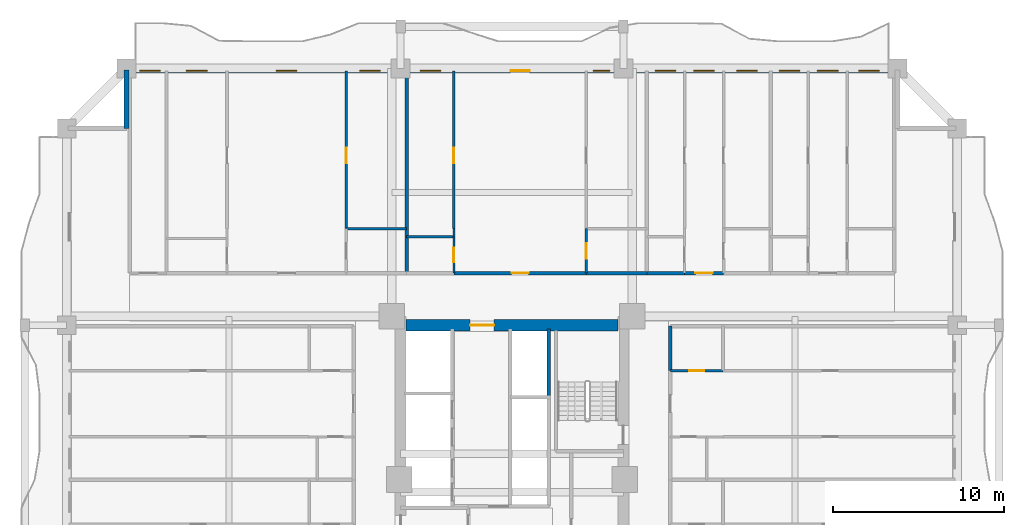
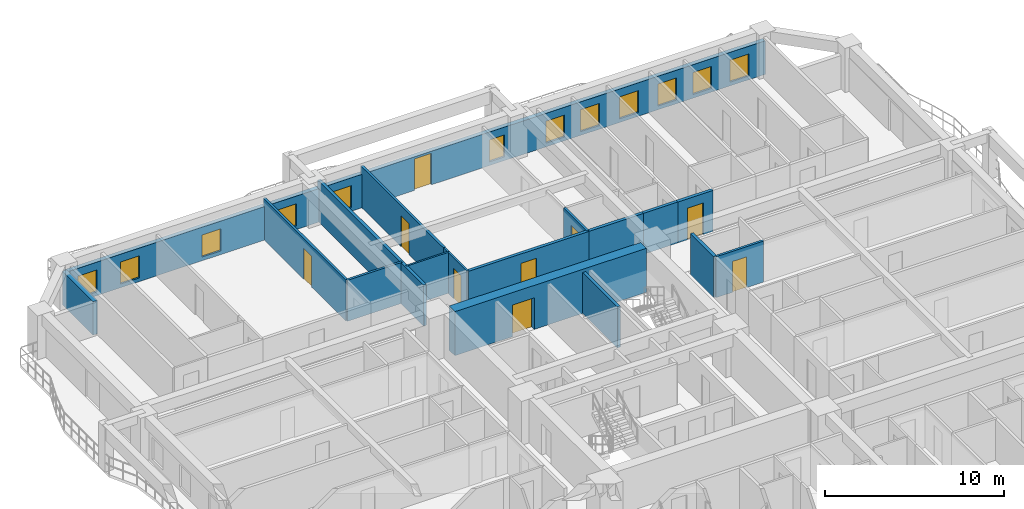
# One storey, part 8 of 17: 18 walls, 12 windows, 9 doors, 21 openings.
"""IFC4 building model written with IfcOpenShell, lengths in metres."""

from ifc_helpers import new_model, si_unit, direction, frame, frame_2d, origin, place, context, subcontext, project, spatial, rectangle, extrude, source, transform, mapped, material, layer, layer_set, type_object, element, fill, save


model = new_model("IFC4")

# Units and contexts
model_context = context("Model", 3, precision=1e-05, world=origin(), true_north=direction((0.0, 1.0)))
body_context = subcontext(model_context, "Body", "Model", "MODEL_VIEW")
ifc_project = project(units=[si_unit("LENGTHUNIT", "METRE"), si_unit("AREAUNIT", "SQUARE_METRE"), si_unit("VOLUMEUNIT", "CUBIC_METRE"), si_unit("PLANEANGLEUNIT", "RADIAN"), si_unit("MASSUNIT", "GRAM", prefix="KILO")], contexts=[model_context])

# Site, building, storey
site_placement = place(None, origin())
site = spatial("IfcSite", under=ifc_project, at=site_placement, CompositionType="ELEMENT")
building_placement = place(site_placement, origin())
building = spatial("IfcBuilding", under=site, at=building_placement, Name="Saelheon Loggia Tower", CompositionType="ELEMENT")
storey_placement = place(building_placement, frame((0.0, 0.0, 22.39990234375)))
storey = spatial("IfcBuildingStorey", under=building, at=storey_placement, Name="L06", CompositionType="ELEMENT", Elevation=22.39990234375)

# Wall, opening, door
ifc_material_1 = material(Name="Concrete C60/75", Category="concrete")
ifc_layer_1 = layer(ifc_material_1, 0.64990234375)
ifc_layer_set_1 = layer_set([ifc_layer_1], Name="Concrete C60/75")
wall_type_1 = type_object("IfcWallType", Name="Wall_CoreShear_650", PredefinedType="SHEAR", material=ifc_layer_set_1)
wall_1_placement = place(storey_placement, frame((31.824951171875, 36.0, 0.0), z_axis=(0.0, 0.0, 1.0), x_axis=(1.0, 0.0, 0.0)))
wall_1 = element("IfcWall", 1, at=wall_1_placement, inside=storey, type_object=wall_type_1, Name="L06 Core Shear Wall North", PredefinedType="SHEAR", context=body_context, shape_type="SweptSolid", body=[
    extrude(rectangle(XDim=12.35009765625, YDim=0.64990234375, at=frame_2d((6.175048828125, 0.0))), origin(), (0.0, 0.0, 1.0), 3.0),
])
opening_1_placement = place(wall_1_placement, frame((5.125, 0.0, 0.0), z_axis=(0.0, 0.0, 1.0), x_axis=(-1.0, 0.0, 0.0)))
opening_1 = element("IfcOpeningElement", 2, at=opening_1_placement, cuts=wall_1, Name="Opening D-FD2L", PredefinedType="OPENING", context=body_context, shape_type="SweptSolid", body=[
    extrude(rectangle(XDim=1.39990234375, YDim=2.14990234375, at=frame_2d((0.699951171875, 1.074951171875))), frame((0.0, 0.3369140625, 0.0), z_axis=(0.0, -1.0, 0.0), x_axis=(1.0, 0.0, 0.0)), (0.0, 0.0, 1.0), 0.673828125),
])
ifc_material_2 = material(Name="Galvanised Steel Glazed Lobby Fire Door", Category="steel")
door_type_1 = type_object("IfcDoorType", Name="Door_Fire_FD60_1400", OperationType="NOTDEFINED", PredefinedType="DOOR", material=ifc_material_2)
shared_shape_1 = source(origin(), body_context, "Body", "SweptSolid", [
    extrude(rectangle(XDim=1.39990234375, YDim=2.14990234375, at=frame_2d((0.699951171875, 1.074951171875))), frame((0.0, 0.02490234375, 0.0), z_axis=(0.0, -1.0, 0.0), x_axis=(1.0, 0.0, 0.0)), (0.0, 0.0, 1.0), 0.050048828125),
])
door_1_placement = place(opening_1_placement, origin())
door_1 = element("IfcDoor", 3, at=door_1_placement, inside=storey, type_object=door_type_1, Name="L06 Passenger Lift Lobby Main Door", OperationType="SINGLE_SWING_RIGHT", OverallHeight=2.14990234375, OverallWidth=1.39990234375, PredefinedType="DOOR", context=body_context, shape_type="MappedRepresentation", body=[
    mapped(shared_shape_1, transform((0.0, 0.0, 0.0), scale=1.0)),
])
fill(opening_1, door_1)

# Wall, openings, windows, door
ifc_material_3 = material(Name="Architectural Precast Concrete C40/50", Category="concrete")
ifc_layer_2 = layer(ifc_material_3, 0.280029296875)
ifc_layer_set_2 = layer_set([ifc_layer_2], Name="Architectural Precast Concrete C40/50")
wall_type_2 = type_object("IfcWallType", Name="Wall_Ext_Loggia_280", PredefinedType="SOLIDWALL", material=ifc_layer_set_2)
wall_2_placement = place(storey_placement, frame((15.5, 50.860107421875, 0.0), z_axis=(0.0, 0.0, 1.0), x_axis=(1.0, 0.0, 0.0)))
wall_2 = element("IfcWall", 4, at=wall_2_placement, inside=storey, type_object=wall_type_2, Name="L06 North Loggia Inner Wall", PredefinedType="SOLIDWALL", context=body_context, shape_type="SweptSolid", body=[
    extrude(rectangle(XDim=45.0, YDim=0.280029296875, at=frame_2d((22.5, 0.0))), origin(), (0.0, 0.0, 1.0), 2.280029296875),
])
opening_2_placement = place(wall_2_placement, frame((0.760009765625, 0.0, 0.25)))
opening_2 = element("IfcOpeningElement", 5, at=opening_2_placement, cuts=wall_2, Name="Opening WN-03", PredefinedType="OPENING", context=body_context, shape_type="SweptSolid", body=[
    extrude(rectangle(XDim=1.199951171875, YDim=1.5, at=frame_2d((0.60009765625, 0.75))), frame((0.0, 0.152099609375, 0.0), z_axis=(0.0, -1.0, 0.0), x_axis=(1.0, 0.0, 0.0)), (0.0, 0.0, 1.0), 0.303955078125),
])
opening_3_placement = place(wall_2_placement, frame((3.494384765625, 0.0, 0.25)))
opening_3 = element("IfcOpeningElement", 6, at=opening_3_placement, cuts=wall_2, Name="Opening WN-03", PredefinedType="OPENING", context=body_context, shape_type="SweptSolid", body=[
    extrude(rectangle(XDim=1.199951171875, YDim=1.5, at=frame_2d((0.60009765625, 0.75))), frame((0.0, 0.152099609375, 0.0), z_axis=(0.0, -1.0, 0.0), x_axis=(1.0, 0.0, 0.0)), (0.0, 0.0, 1.0), 0.303955078125),
])
opening_4_placement = place(wall_2_placement, frame((8.740966796875, 0.0, 0.25)))
opening_4 = element("IfcOpeningElement", 7, at=opening_4_placement, cuts=wall_2, Name="Opening WN-03", PredefinedType="OPENING", context=body_context, shape_type="SweptSolid", body=[
    extrude(rectangle(XDim=1.199951171875, YDim=1.5, at=frame_2d((0.60009765625, 0.75))), frame((0.0, 0.152099609375, 0.0), z_axis=(0.0, -1.0, 0.0), x_axis=(1.0, 0.0, 0.0)), (0.0, 0.0, 1.0), 0.303955078125),
])
opening_5_placement = place(wall_2_placement, frame((13.616455078125, 0.0, 0.25)))
opening_5 = element("IfcOpeningElement", 8, at=opening_5_placement, cuts=wall_2, Name="Opening WN-03", PredefinedType="OPENING", context=body_context, shape_type="SweptSolid", body=[
    extrude(rectangle(XDim=1.199951171875, YDim=1.5, at=frame_2d((0.60009765625, 0.75))), frame((0.0, 0.152099609375, 0.0), z_axis=(0.0, -1.0, 0.0), x_axis=(1.0, 0.0, 0.0)), (0.0, 0.0, 1.0), 0.303955078125),
])
opening_6_placement = place(wall_2_placement, frame((17.145751953125, 0.0, 0.25)))
opening_6 = element("IfcOpeningElement", 9, at=opening_6_placement, cuts=wall_2, Name="Opening WN-03", PredefinedType="OPENING", context=body_context, shape_type="SweptSolid", body=[
    extrude(rectangle(XDim=1.199951171875, YDim=1.5, at=frame_2d((0.60009765625, 0.75))), frame((0.0, 0.152099609375, 0.0), z_axis=(0.0, -1.0, 0.0), x_axis=(1.0, 0.0, 0.0)), (0.0, 0.0, 1.0), 0.303955078125),
])
opening_7_placement = place(wall_2_placement, frame((22.423095703125, 0.0, 0.0)))
opening_7 = element("IfcOpeningElement", 10, at=opening_7_placement, cuts=wall_2, Name="Opening TD1", PredefinedType="OPENING", context=body_context, shape_type="SweptSolid", body=[
    extrude(rectangle(XDim=1.10009765625, YDim=2.14990234375, at=frame_2d((0.550048828125, 1.074951171875))), frame((0.0, 0.152099609375, 0.0), z_axis=(0.0, -1.0, 0.0), x_axis=(1.0, 0.0, 0.0)), (0.0, 0.0, 1.0), 0.303955078125),
])
opening_8_placement = place(wall_2_placement, frame((27.252197265625, 0.0, 0.25)))
opening_8 = element("IfcOpeningElement", 11, at=opening_8_placement, cuts=wall_2, Name="Opening WN-04", PredefinedType="OPENING", context=body_context, shape_type="SweptSolid", body=[
    extrude(rectangle(XDim=0.949951171875, YDim=1.5, at=frame_2d((0.47509765625, 0.75))), frame((0.0, 0.152099609375, 0.0), z_axis=(0.0, -1.0, 0.0), x_axis=(1.0, 0.0, 0.0)), (0.0, 0.0, 1.0), 0.303955078125),
])
opening_9_placement = place(wall_2_placement, frame((30.873291015625, 0.0, 0.25)))
opening_9 = element("IfcOpeningElement", 12, at=opening_9_placement, cuts=wall_2, Name="Opening WN-03", PredefinedType="OPENING", context=body_context, shape_type="SweptSolid", body=[
    extrude(rectangle(XDim=1.199951171875, YDim=1.5, at=frame_2d((0.60009765625, 0.75))), frame((0.0, 0.152099609375, 0.0), z_axis=(0.0, -1.0, 0.0), x_axis=(1.0, 0.0, 0.0)), (0.0, 0.0, 1.0), 0.303955078125),
])
opening_10_placement = place(wall_2_placement, frame((33.112548828125, 0.0, 0.25)))
opening_10 = element("IfcOpeningElement", 13, at=opening_10_placement, cuts=wall_2, Name="Opening WN-03", PredefinedType="OPENING", context=body_context, shape_type="SweptSolid", body=[
    extrude(rectangle(XDim=1.199951171875, YDim=1.5, at=frame_2d((0.60009765625, 0.75))), frame((0.0, 0.152099609375, 0.0), z_axis=(0.0, -1.0, 0.0), x_axis=(1.0, 0.0, 0.0)), (0.0, 0.0, 1.0), 0.303955078125),
])
opening_11_placement = place(wall_2_placement, frame((35.624267578125, 0.0, 0.25)))
opening_11 = element("IfcOpeningElement", 14, at=opening_11_placement, cuts=wall_2, Name="Opening WN-03", PredefinedType="OPENING", context=body_context, shape_type="SweptSolid", body=[
    extrude(rectangle(XDim=1.199951171875, YDim=1.5, at=frame_2d((0.60009765625, 0.75))), frame((0.0, 0.152099609375, 0.0), z_axis=(0.0, -1.0, 0.0), x_axis=(1.0, 0.0, 0.0)), (0.0, 0.0, 1.0), 0.303955078125),
])
opening_12_placement = place(wall_2_placement, frame((38.0966796875, 0.0, 0.25)))
opening_12 = element("IfcOpeningElement", 15, at=opening_12_placement, cuts=wall_2, Name="Opening WN-03", PredefinedType="OPENING", context=body_context, shape_type="SweptSolid", body=[
    extrude(rectangle(XDim=1.199951171875, YDim=1.5, at=frame_2d((0.60009765625, 0.75))), frame((0.0, 0.152099609375, 0.0), z_axis=(0.0, -1.0, 0.0), x_axis=(1.0, 0.0, 0.0)), (0.0, 0.0, 1.0), 0.303955078125),
])
opening_13_placement = place(wall_2_placement, frame((40.3359375, 0.0, 0.25)))
opening_13 = element("IfcOpeningElement", 16, at=opening_13_placement, cuts=wall_2, Name="Opening WN-03", PredefinedType="OPENING", context=body_context, shape_type="SweptSolid", body=[
    extrude(rectangle(XDim=1.199951171875, YDim=1.5, at=frame_2d((0.60009765625, 0.75))), frame((0.0, 0.152099609375, 0.0), z_axis=(0.0, -1.0, 0.0), x_axis=(1.0, 0.0, 0.0)), (0.0, 0.0, 1.0), 0.303955078125),
])
opening_14_placement = place(wall_2_placement, frame((42.74267578125, 0.0, 0.25)))
opening_14 = element("IfcOpeningElement", 17, at=opening_14_placement, cuts=wall_2, Name="Opening WN-03", PredefinedType="OPENING", context=body_context, shape_type="SweptSolid", body=[
    extrude(rectangle(XDim=1.199951171875, YDim=1.5, at=frame_2d((0.60009765625, 0.75))), frame((0.0, 0.152099609375, 0.0), z_axis=(0.0, -1.0, 0.0), x_axis=(1.0, 0.0, 0.0)), (0.0, 0.0, 1.0), 0.303955078125),
])
ifc_material_4 = material(Name="Thermal-Break Aluminium and Triple Low-E Glass", Category="aluminium")
window_type_1 = type_object("IfcWindowType", Name="Win_Bedroom_1200x1500", PartitioningType="SINGLE_PANEL", PredefinedType="WINDOW", material=ifc_material_4)
shared_shape_2 = source(origin(), body_context, "Body", "SweptSolid", [
    extrude(rectangle(XDim=1.199951171875, YDim=1.5, at=frame_2d((0.60009765625, 0.75))), frame((0.0, 0.030029296875, 0.0), z_axis=(0.0, -1.0, 0.0), x_axis=(1.0, 0.0, 0.0)), (0.0, 0.0, 1.0), 0.06005859375),
])
window_1_placement = place(opening_2_placement, origin())
window_1 = element("IfcWindow", 18, at=window_1_placement, inside=storey, type_object=window_type_1, Name="L06 N Dwelling Window 1", OverallHeight=1.5, OverallWidth=1.199951171875, PartitioningType="SINGLE_PANEL", PredefinedType="WINDOW", context=body_context, shape_type="MappedRepresentation", body=[
    mapped(shared_shape_2, transform((0.0, 0.0, 0.0), scale=1.0)),
])
fill(opening_2, window_1)
window_2_placement = place(opening_3_placement, origin())
window_2 = element("IfcWindow", 19, at=window_2_placement, inside=storey, type_object=window_type_1, Name="L06 N Dwelling Window 2", OverallHeight=1.5, OverallWidth=1.199951171875, PartitioningType="SINGLE_PANEL", PredefinedType="WINDOW", context=body_context, shape_type="MappedRepresentation", body=[
    mapped(shared_shape_2, transform((0.0, 0.0, 0.0), scale=1.0)),
])
fill(opening_3, window_2)
window_3_placement = place(opening_4_placement, origin())
window_3 = element("IfcWindow", 20, at=window_3_placement, inside=storey, type_object=window_type_1, Name="L06 N Dwelling Window 3", OverallHeight=1.5, OverallWidth=1.199951171875, PartitioningType="SINGLE_PANEL", PredefinedType="WINDOW", context=body_context, shape_type="MappedRepresentation", body=[
    mapped(shared_shape_2, transform((0.0, 0.0, 0.0), scale=1.0)),
])
fill(opening_4, window_3)
window_4_placement = place(opening_5_placement, origin())
window_4 = element("IfcWindow", 21, at=window_4_placement, inside=storey, type_object=window_type_1, Name="L06 N Dwelling Window 4", OverallHeight=1.5, OverallWidth=1.199951171875, PartitioningType="SINGLE_PANEL", PredefinedType="WINDOW", context=body_context, shape_type="MappedRepresentation", body=[
    mapped(shared_shape_2, transform((0.0, 0.0, 0.0), scale=1.0)),
])
fill(opening_5, window_4)
window_5_placement = place(opening_6_placement, origin())
window_5 = element("IfcWindow", 22, at=window_5_placement, inside=storey, type_object=window_type_1, Name="L06 N Dwelling Window 5", OverallHeight=1.5, OverallWidth=1.199951171875, PartitioningType="SINGLE_PANEL", PredefinedType="WINDOW", context=body_context, shape_type="MappedRepresentation", body=[
    mapped(shared_shape_2, transform((0.0, 0.0, 0.0), scale=1.0)),
])
fill(opening_6, window_5)
window_6_placement = place(opening_9_placement, origin())
window_6 = element("IfcWindow", 23, at=window_6_placement, inside=storey, type_object=window_type_1, Name="L06 N Dwelling Window 8", OverallHeight=1.5, OverallWidth=1.199951171875, PartitioningType="SINGLE_PANEL", PredefinedType="WINDOW", context=body_context, shape_type="MappedRepresentation", body=[
    mapped(shared_shape_2, transform((0.0, 0.0, 0.0), scale=1.0)),
])
fill(opening_9, window_6)
window_7_placement = place(opening_10_placement, origin())
window_7 = element("IfcWindow", 24, at=window_7_placement, inside=storey, type_object=window_type_1, Name="L06 N Dwelling Window 9", OverallHeight=1.5, OverallWidth=1.199951171875, PartitioningType="SINGLE_PANEL", PredefinedType="WINDOW", context=body_context, shape_type="MappedRepresentation", body=[
    mapped(shared_shape_2, transform((0.0, 0.0, 0.0), scale=1.0)),
])
fill(opening_10, window_7)
window_8_placement = place(opening_11_placement, origin())
window_8 = element("IfcWindow", 25, at=window_8_placement, inside=storey, type_object=window_type_1, Name="L06 N Dwelling Window 10", OverallHeight=1.5, OverallWidth=1.199951171875, PartitioningType="SINGLE_PANEL", PredefinedType="WINDOW", context=body_context, shape_type="MappedRepresentation", body=[
    mapped(shared_shape_2, transform((0.0, 0.0, 0.0), scale=1.0)),
])
fill(opening_11, window_8)
window_9_placement = place(opening_12_placement, origin())
window_9 = element("IfcWindow", 26, at=window_9_placement, inside=storey, type_object=window_type_1, Name="L06 N Dwelling Window 11", OverallHeight=1.5, OverallWidth=1.199951171875, PartitioningType="SINGLE_PANEL", PredefinedType="WINDOW", context=body_context, shape_type="MappedRepresentation", body=[
    mapped(shared_shape_2, transform((0.0, 0.0, 0.0), scale=1.0)),
])
fill(opening_12, window_9)
window_10_placement = place(opening_13_placement, origin())
window_10 = element("IfcWindow", 27, at=window_10_placement, inside=storey, type_object=window_type_1, Name="L06 N Dwelling Window 12", OverallHeight=1.5, OverallWidth=1.199951171875, PartitioningType="SINGLE_PANEL", PredefinedType="WINDOW", context=body_context, shape_type="MappedRepresentation", body=[
    mapped(shared_shape_2, transform((0.0, 0.0, 0.0), scale=1.0)),
])
fill(opening_13, window_10)
window_11_placement = place(opening_14_placement, origin())
window_11 = element("IfcWindow", 28, at=window_11_placement, inside=storey, type_object=window_type_1, Name="L06 N Dwelling Window 13", OverallHeight=1.5, OverallWidth=1.199951171875, PartitioningType="SINGLE_PANEL", PredefinedType="WINDOW", context=body_context, shape_type="MappedRepresentation", body=[
    mapped(shared_shape_2, transform((0.0, 0.0, 0.0), scale=1.0)),
])
fill(opening_14, window_11)
ifc_material_5 = material(Name="Thermal-Break Aluminium Glazed Door", Category="aluminium")
door_type_2 = type_object("IfcDoorType", Name="Door_Terrace_TD1", OperationType="NOTDEFINED", PredefinedType="DOOR", material=ifc_material_5)
shared_shape_3 = source(origin(), body_context, "Body", "SweptSolid", [
    extrude(rectangle(XDim=1.10009765625, YDim=2.14990234375, at=frame_2d((0.550048828125, 1.074951171875))), frame((0.0, 0.02490234375, 0.0), z_axis=(0.0, -1.0, 0.0), x_axis=(1.0, 0.0, 0.0)), (0.0, 0.0, 1.0), 0.050048828125),
])
door_2_placement = place(opening_7_placement, origin())
door_2 = element("IfcDoor", 29, at=door_2_placement, inside=storey, type_object=door_type_2, Name="L06 N Loggia Access Door", OperationType="SINGLE_SWING_RIGHT", OverallHeight=2.14990234375, OverallWidth=1.10009765625, PredefinedType="DOOR", context=body_context, shape_type="MappedRepresentation", body=[
    mapped(shared_shape_3, transform((0.0, 0.0, 0.0), scale=1.0)),
])
fill(opening_7, door_2)
window_type_2 = type_object("IfcWindowType", Name="Win_Narrow_950x1500", PartitioningType="SINGLE_PANEL", PredefinedType="WINDOW", material=ifc_material_4)
shared_shape_4 = source(origin(), body_context, "Body", "SweptSolid", [
    extrude(rectangle(XDim=0.949951171875, YDim=1.5, at=frame_2d((0.47509765625, 0.75))), frame((0.0, 0.030029296875, 0.0), z_axis=(0.0, -1.0, 0.0), x_axis=(1.0, 0.0, 0.0)), (0.0, 0.0, 1.0), 0.06005859375),
])
window_12_placement = place(opening_8_placement, origin())
window_12 = element("IfcWindow", 30, at=window_12_placement, inside=storey, type_object=window_type_2, Name="L06 N Dwelling Window 7", OverallHeight=1.5, OverallWidth=0.949951171875, PartitioningType="SINGLE_PANEL", PredefinedType="WINDOW", context=body_context, shape_type="MappedRepresentation", body=[
    mapped(shared_shape_4, transform((0.0, 0.0, 0.0), scale=1.0)),
])
fill(opening_8, window_12)

# Walls
wall_3_placement = place(storey_placement, frame((15.5, 47.5, 0.0), z_axis=(0.0, 0.0, 1.0), x_axis=(0.0, 1.0, 0.0)))
element("IfcWall", 31, at=wall_3_placement, inside=storey, type_object=wall_type_2, Name="L06 Corner Notch Precast Wall NW1", PredefinedType="SOLIDWALL", context=body_context, shape_type="SweptSolid", body=[
    extrude(rectangle(XDim=3.419921875, YDim=0.280029296875, at=frame_2d((1.7099609375, 0.0))), origin(), (0.0, 0.0, 1.0), 2.280029296875),
])
ifc_material_6 = material(Name="Lightweight Autoclaved Aerated Concrete Block and Acoustic Gypsum", Category="concrete")
ifc_layer_3 = layer(ifc_material_6, 0.14990234375)
ifc_layer_set_3 = layer_set([ifc_layer_3], Name="Lightweight Autoclaved Aerated Concrete Block and Acoustic Gypsum")
wall_type_3 = type_object("IfcWallType", Name="Wall_Part_150", PredefinedType="PARTITIONING", material=ifc_layer_set_3)
wall_4_placement = place(storey_placement, frame((28.322998046875, 41.639892578125, 0.0), z_axis=(0.0, 0.0, 1.0), x_axis=(1.0, 0.0, 0.0)))
element("IfcWall", 32, at=wall_4_placement, inside=storey, type_object=wall_type_3, Name="L06 N Partition V09", PredefinedType="PARTITIONING", context=body_context, shape_type="SweptSolid", body=[
    extrude(rectangle(XDim=3.52880859375, YDim=0.14990234375, at=frame_2d((1.764404296875, 0.0))), origin(), (0.0, 0.0, 1.0), 2.7900390625),
])

# Wall, opening, door
wall_5_placement = place(storey_placement, frame((28.322998046875, 41.639892578125, 0.0), z_axis=(0.0, 0.0, 1.0), x_axis=(0.0, 1.0, 0.0)))
wall_5 = element("IfcWall", 33, at=wall_5_placement, inside=storey, type_object=wall_type_3, Name="L06 N Partition U14", PredefinedType="PARTITIONING", context=body_context, shape_type="SweptSolid", body=[
    extrude(rectangle(XDim=9.210205078125, YDim=0.14990234375, at=frame_2d((4.60498046875, 0.0))), origin(), (0.0, 0.0, 1.0), 2.7900390625),
])
opening_15_placement = place(wall_5_placement, frame((3.82861328125, 0.0, 0.0)))
opening_15 = element("IfcOpeningElement", 34, at=opening_15_placement, cuts=wall_5, Name="Opening D-IN2", PredefinedType="OPENING", context=body_context, shape_type="SweptSolid", body=[
    extrude(rectangle(XDim=0.89990234375, YDim=2.10009765625, at=frame_2d((0.449951171875, 1.050048828125))), frame((0.0, 0.0869140625, 0.0), z_axis=(0.0, -1.0, 0.0), x_axis=(1.0, 0.0, 0.0)), (0.0, 0.0, 1.0), 0.173828125),
])
ifc_material_7 = material(Name="Engineered Oak Flush Door", Category="timber")
door_type_3 = type_object("IfcDoorType", Name="Door_Int_900", OperationType="NOTDEFINED", PredefinedType="DOOR", material=ifc_material_7)
shared_shape_5 = source(origin(), body_context, "Body", "SweptSolid", [
    extrude(rectangle(XDim=0.89990234375, YDim=2.10009765625, at=frame_2d((0.449951171875, 1.050048828125))), frame((0.0, 0.02490234375, 0.0), z_axis=(0.0, -1.0, 0.0), x_axis=(1.0, 0.0, 0.0)), (0.0, 0.0, 1.0), 0.050048828125),
])
door_3_placement = place(opening_15_placement, origin())
door_3 = element("IfcDoor", 35, at=door_3_placement, inside=storey, type_object=door_type_3, Name="Unit U07 Bedroom 1 Door", OperationType="SINGLE_SWING_RIGHT", OverallHeight=2.10009765625, OverallWidth=0.89990234375, PredefinedType="DOOR", context=body_context, shape_type="MappedRepresentation", body=[
    mapped(shared_shape_5, transform((0.0, 0.0, 0.0), scale=1.0)),
])
fill(opening_15, door_3)

wall_6_placement = place(storey_placement, frame((34.601806640625, 41.639892578125, 0.0), z_axis=(0.0, 0.0, 1.0), x_axis=(0.0, 1.0, 0.0)))
wall_6 = element("IfcWall", 36, at=wall_6_placement, inside=storey, type_object=wall_type_3, Name="L06 N Partition U23", PredefinedType="PARTITIONING", context=body_context, shape_type="SweptSolid", body=[
    extrude(rectangle(XDim=9.210205078125, YDim=0.14990234375, at=frame_2d((4.60498046875, 0.0))), origin(), (0.0, 0.0, 1.0), 2.7900390625),
])
opening_16_placement = place(wall_6_placement, frame((3.82861328125, 0.0, 0.0)))
opening_16 = element("IfcOpeningElement", 37, at=opening_16_placement, cuts=wall_6, Name="Opening D-IN2", PredefinedType="OPENING", context=body_context, shape_type="SweptSolid", body=[
    extrude(rectangle(XDim=0.89990234375, YDim=2.10009765625, at=frame_2d((0.449951171875, 1.050048828125))), frame((0.0, 0.0869140625, 0.0), z_axis=(0.0, -1.0, 0.0), x_axis=(1.0, 0.0, 0.0)), (0.0, 0.0, 1.0), 0.173828125),
])
door_4_placement = place(opening_16_placement, origin())
door_4 = element("IfcDoor", 38, at=door_4_placement, inside=storey, type_object=door_type_3, Name="Unit U08 Kitchen Door", OperationType="SINGLE_SWING_LEFT", OverallHeight=2.10009765625, OverallWidth=0.89990234375, PredefinedType="DOOR", context=body_context, shape_type="MappedRepresentation", body=[
    mapped(shared_shape_5, transform((0.0, 0.0, 0.0), scale=1.0)),
])
fill(opening_16, door_4)

wall_7_placement = place(storey_placement, frame((42.344482421875, 39.050048828125, 0.0), z_axis=(0.0, 0.0, 1.0), x_axis=(0.0, 1.0, 0.0)))
wall_7 = element("IfcWall", 39, at=wall_7_placement, inside=storey, type_object=wall_type_3, Name="L06 N Partition U24", PredefinedType="PARTITIONING", context=body_context, shape_type="SweptSolid", body=[
    extrude(rectangle(XDim=2.58984375, YDim=0.14990234375, at=frame_2d((1.294921875, 0.0))), origin(), (0.0, 0.0, 1.0), 2.7900390625),
])
opening_17_placement = place(wall_7_placement, frame((0.844970703125, 0.0, 0.0)))
opening_17 = element("IfcOpeningElement", 40, at=opening_17_placement, cuts=wall_7, Name="Opening D-IN2", PredefinedType="OPENING", context=body_context, shape_type="SweptSolid", body=[
    extrude(rectangle(XDim=0.89990234375, YDim=2.10009765625, at=frame_2d((0.449951171875, 1.050048828125))), frame((0.0, 0.0869140625, 0.0), z_axis=(0.0, -1.0, 0.0), x_axis=(1.0, 0.0, 0.0)), (0.0, 0.0, 1.0), 0.173828125),
])
door_5_placement = place(opening_17_placement, origin())
door_5 = element("IfcDoor", 41, at=door_5_placement, inside=storey, type_object=door_type_3, Name="Unit U08 Dressing Closet Door", OperationType="SINGLE_SWING_RIGHT", OverallHeight=2.10009765625, OverallWidth=0.89990234375, PredefinedType="DOOR", context=body_context, shape_type="MappedRepresentation", body=[
    mapped(shared_shape_5, transform((0.0, 0.0, 0.0), scale=1.0)),
])
fill(opening_17, door_5)

wall_8_placement = place(storey_placement, frame((47.25, 33.35009765625, 0.0), z_axis=(0.0, 0.0, 1.0), x_axis=(1.0, 0.0, 0.0)))
wall_8 = element("IfcWall", 42, at=wall_8_placement, inside=storey, type_object=wall_type_3, Name="L06 E Partition U22", PredefinedType="PARTITIONING", context=body_context, shape_type="SweptSolid", body=[
    extrude(rectangle(XDim=3.070068359375, YDim=0.14990234375, at=frame_2d((1.53515625, 0.0))), origin(), (0.0, 0.0, 1.0), 2.7900390625),
])
opening_18_placement = place(wall_8_placement, frame((1.0849609375, 0.0, 0.0)))
opening_18 = element("IfcOpeningElement", 43, at=opening_18_placement, cuts=wall_8, Name="Opening D-IN2", PredefinedType="OPENING", context=body_context, shape_type="SweptSolid", body=[
    extrude(rectangle(XDim=0.89990234375, YDim=2.10009765625, at=frame_2d((0.449951171875, 1.050048828125))), frame((0.0, 0.0869140625, 0.0), z_axis=(0.0, -1.0, 0.0), x_axis=(1.0, 0.0, 0.0)), (0.0, 0.0, 1.0), 0.173828125),
])
door_6_placement = place(opening_18_placement, origin())
door_6 = element("IfcDoor", 44, at=door_6_placement, inside=storey, type_object=door_type_3, Name="Unit U14 Dressing Closet Door", OperationType="SINGLE_SWING_RIGHT", OverallHeight=2.10009765625, OverallWidth=0.89990234375, PredefinedType="DOOR", context=body_context, shape_type="MappedRepresentation", body=[
    mapped(shared_shape_5, transform((0.0, 0.0, 0.0), scale=1.0)),
])
fill(opening_18, door_6)

# Wall
ifc_material_8 = material(Name="Double Acoustic Stud and Fireboard Partition", Category="gypsum")
ifc_layer_4 = layer(ifc_material_8, 0.199951171875)
ifc_layer_set_4 = layer_set([ifc_layer_4], Name="Double Acoustic Stud and Fireboard Partition")
wall_type_4 = type_object("IfcWallType", Name="Wall_Party_200", PredefinedType="PARTITIONING", material=ifc_layer_set_4)
wall_9_placement = place(storey_placement, frame((31.851806640625, 39.050048828125, 0.0), z_axis=(0.0, 0.0, 1.0), x_axis=(0.0, 1.0, 0.0)))
element("IfcWall", 45, at=wall_9_placement, inside=storey, type_object=wall_type_4, Name="L06 N Partition U15", PredefinedType="PARTITIONING", context=body_context, shape_type="SweptSolid", body=[
    extrude(rectangle(XDim=11.800048828125, YDim=0.199951171875, at=frame_2d((5.89990234375, 0.0))), origin(), (0.0, 0.0, 1.0), 2.7900390625),
])

# Wall, opening, door
wall_10_placement = place(storey_placement, frame((34.601806640625, 39.050048828125, 0.0), z_axis=(0.0, 0.0, 1.0), x_axis=(1.0, 0.0, 0.0)))
wall_10 = element("IfcWall", 46, at=wall_10_placement, inside=storey, type_object=wall_type_4, Name="L06 N Partition V17", PredefinedType="PARTITIONING", context=body_context, shape_type="SweptSolid", body=[
    extrude(rectangle(XDim=7.74267578125, YDim=0.199951171875, at=frame_2d((3.871337890625, 0.0))), origin(), (0.0, 0.0, 1.0), 2.7900390625),
])
opening_19_placement = place(wall_10_placement, frame((3.371337890625, 0.0, 0.0)))
opening_19 = element("IfcOpeningElement", 47, at=opening_19_placement, cuts=wall_10, Name="Opening D-FD1", PredefinedType="OPENING", context=body_context, shape_type="SweptSolid", body=[
    extrude(rectangle(XDim=1.0, YDim=2.14990234375, at=frame_2d((0.5, 1.074951171875))), frame((0.0, 0.112060546875, 0.0), z_axis=(0.0, -1.0, 0.0), x_axis=(1.0, 0.0, 0.0)), (0.0, 0.0, 1.0), 0.223876953125),
])
ifc_material_9 = material(Name="Fire-Rated Engineered Timber Entrance Door", Category="wood")
door_type_4 = type_object("IfcDoorType", Name="Door_Flat_FD30S", OperationType="NOTDEFINED", PredefinedType="DOOR", material=ifc_material_9)
shared_shape_6 = source(origin(), body_context, "Body", "SweptSolid", [
    extrude(rectangle(XDim=1.0, YDim=2.14990234375, at=frame_2d((0.5, 1.074951171875))), frame((0.0, 0.02490234375, 0.0), z_axis=(0.0, -1.0, 0.0), x_axis=(1.0, 0.0, 0.0)), (0.0, 0.0, 1.0), 0.050048828125),
])
door_7_placement = place(opening_19_placement, origin())
door_7 = element("IfcDoor", 48, at=door_7_placement, inside=storey, type_object=door_type_4, Name="Unit U08 Entrance Door", OperationType="SINGLE_SWING_LEFT", OverallHeight=2.14990234375, OverallWidth=1.0, PredefinedType="DOOR", context=body_context, shape_type="MappedRepresentation", body=[
    mapped(shared_shape_6, transform((0.0, 0.0, 0.0), scale=1.0)),
])
fill(opening_19, door_7)

# Walls
wall_11_placement = place(storey_placement, frame((42.344482421875, 39.050048828125, 0.0), z_axis=(0.0, 0.0, 1.0), x_axis=(1.0, 0.0, 0.0)))
element("IfcWall", 49, at=wall_11_placement, inside=storey, type_object=wall_type_4, Name="L06 N Partition V18", PredefinedType="PARTITIONING", context=body_context, shape_type="SweptSolid", body=[
    extrude(rectangle(XDim=3.52880859375, YDim=0.199951171875, at=frame_2d((1.764404296875, 0.0))), origin(), (0.0, 0.0, 1.0), 2.7900390625),
])
wall_12_placement = place(storey_placement, frame((45.873291015625, 39.050048828125, 0.0), z_axis=(0.0, 0.0, 1.0), x_axis=(1.0, 0.0, 0.0)))
element("IfcWall", 50, at=wall_12_placement, inside=storey, type_object=wall_type_4, Name="L06 N Partition V27", PredefinedType="PARTITIONING", context=body_context, shape_type="SweptSolid", body=[
    extrude(rectangle(XDim=2.2001953125, YDim=0.199951171875, at=frame_2d((1.10009765625, 0.0))), origin(), (0.0, 0.0, 1.0), 2.7900390625),
])

# Wall, opening, door
wall_13_placement = place(storey_placement, frame((48.073486328125, 39.050048828125, 0.0), z_axis=(0.0, 0.0, 1.0), x_axis=(1.0, 0.0, 0.0)))
wall_13 = element("IfcWall", 51, at=wall_13_placement, inside=storey, type_object=wall_type_4, Name="L06 N Partition V28", PredefinedType="PARTITIONING", context=body_context, shape_type="SweptSolid", body=[
    extrude(rectangle(XDim=2.2783203125, YDim=0.199951171875, at=frame_2d((1.13916015625, 0.0))), origin(), (0.0, 0.0, 1.0), 2.7900390625),
])
opening_20_placement = place(wall_13_placement, frame((0.63916015625, 0.0, 0.0)))
opening_20 = element("IfcOpeningElement", 52, at=opening_20_placement, cuts=wall_13, Name="Opening D-FD1", PredefinedType="OPENING", context=body_context, shape_type="SweptSolid", body=[
    extrude(rectangle(XDim=1.0, YDim=2.14990234375, at=frame_2d((0.5, 1.074951171875))), frame((0.0, 0.112060546875, 0.0), z_axis=(0.0, -1.0, 0.0), x_axis=(1.0, 0.0, 0.0)), (0.0, 0.0, 1.0), 0.223876953125),
])
door_8_placement = place(opening_20_placement, origin())
door_8 = element("IfcDoor", 53, at=door_8_placement, inside=storey, type_object=door_type_4, Name="Unit U09 Entrance Door", OperationType="SINGLE_SWING_RIGHT", OverallHeight=2.14990234375, OverallWidth=1.0, PredefinedType="DOOR", context=body_context, shape_type="MappedRepresentation", body=[
    mapped(shared_shape_6, transform((0.0, 0.0, 0.0), scale=1.0)),
])
fill(opening_20, door_8)

# Walls
wall_14_placement = place(storey_placement, frame((47.25, 33.35009765625, 0.0), z_axis=(0.0, 0.0, 1.0), x_axis=(0.0, 1.0, 0.0)))
element("IfcWall", 54, at=wall_14_placement, inside=storey, type_object=wall_type_4, Name="L06 E Partition V16", PredefinedType="PARTITIONING", context=body_context, shape_type="SweptSolid", body=[
    extrude(rectangle(XDim=2.599853515625, YDim=0.199951171875, at=frame_2d((1.2998046875, 0.0))), origin(), (0.0, 0.0, 1.0), 2.7900390625),
])
ifc_material_10 = material(Name="Concrete C40/50", Category="concrete")
ifc_layer_5 = layer(ifc_material_10, 0.199951171875)
ifc_layer_set_5 = layer_set([ifc_layer_5], Name="Concrete C40/50")
wall_type_5 = type_object("IfcWallType", Name="Wall_Shaft_200", PredefinedType="PARTITIONING", material=ifc_layer_set_5)
wall_15_placement = place(storey_placement, frame((40.14990234375, 31.800048828125, 0.0), z_axis=(0.0, 0.0, 1.0), x_axis=(0.0, 1.0, 0.0)))
element("IfcWall", 55, at=wall_15_placement, inside=storey, type_object=wall_type_5, Name="L06 East High-Rise Hoistway East Wall", PredefinedType="PARTITIONING", context=body_context, shape_type="SweptSolid", body=[
    extrude(rectangle(XDim=3.97998046875, YDim=0.199951171875, at=frame_2d((1.989990234375, 0.0))), origin(), (0.0, 0.0, 1.0), 2.7900390625),
])
ifc_material_11 = material(Name="Moisture-Resistant Cement Board Partition", Category="gypsum")
ifc_layer_6 = layer(ifc_material_11, 0.1201171875)
ifc_layer_set_6 = layer_set([ifc_layer_6], Name="Moisture-Resistant Cement Board Partition")
wall_type_6 = type_object("IfcWallType", Name="Wall_WetPart_120", PredefinedType="PARTITIONING", material=ifc_layer_set_6)
wall_16_placement = place(storey_placement, frame((31.851806640625, 41.169921875, 0.0), z_axis=(0.0, 0.0, 1.0), x_axis=(1.0, 0.0, 0.0)))
element("IfcWall", 56, at=wall_16_placement, inside=storey, type_object=wall_type_6, Name="L06 N Partition V19", PredefinedType="PARTITIONING", context=body_context, shape_type="SweptSolid", body=[
    extrude(rectangle(XDim=2.75, YDim=0.1201171875, at=frame_2d((1.375, 0.0))), origin(), (0.0, 0.0, 1.0), 2.7900390625),
])

# Wall, opening, door
wall_17_placement = place(storey_placement, frame((34.601806640625, 39.050048828125, 0.0), z_axis=(0.0, 0.0, 1.0), x_axis=(0.0, 1.0, 0.0)))
wall_17 = element("IfcWall", 57, at=wall_17_placement, inside=storey, type_object=wall_type_6, Name="L06 N Partition U21", PredefinedType="PARTITIONING", context=body_context, shape_type="SweptSolid", body=[
    extrude(rectangle(XDim=2.119873046875, YDim=0.1201171875, at=frame_2d((1.06005859375, 0.0))), origin(), (0.0, 0.0, 1.0), 2.7900390625),
])
opening_21_placement = place(wall_17_placement, frame((0.635009765625, 0.0, 0.0)))
opening_21 = element("IfcOpeningElement", 58, at=opening_21_placement, cuts=wall_17, Name="Opening D-BT1", PredefinedType="OPENING", context=body_context, shape_type="SweptSolid", body=[
    extrude(rectangle(XDim=0.85009765625, YDim=2.050048828125, at=frame_2d((0.425048828125, 1.02490234375))), frame((0.0, 0.072021484375, 0.0), z_axis=(0.0, -1.0, 0.0), x_axis=(1.0, 0.0, 0.0)), (0.0, 0.0, 1.0), 0.14404296875),
])
ifc_material_12 = material(Name="Moisture-Resistant Laminate Timber Door", Category="wood")
door_type_5 = type_object("IfcDoorType", Name="Door_Bath_850", OperationType="NOTDEFINED", PredefinedType="DOOR", material=ifc_material_12)
shared_shape_7 = source(origin(), body_context, "Body", "SweptSolid", [
    extrude(rectangle(XDim=0.85009765625, YDim=2.050048828125, at=frame_2d((0.425048828125, 1.02490234375))), frame((0.0, 0.02490234375, 0.0), z_axis=(0.0, -1.0, 0.0), x_axis=(1.0, 0.0, 0.0)), (0.0, 0.0, 1.0), 0.050048828125),
])
door_9_placement = place(opening_21_placement, origin())
door_9 = element("IfcDoor", 59, at=door_9_placement, inside=storey, type_object=door_type_5, Name="Unit U08 Bathroom Door", OperationType="SINGLE_SWING_RIGHT", OverallHeight=2.050048828125, OverallWidth=0.85009765625, PredefinedType="DOOR", context=body_context, shape_type="MappedRepresentation", body=[
    mapped(shared_shape_7, transform((0.0, 0.0, 0.0), scale=1.0)),
])
fill(opening_21, door_9)

# Wall
wall_18_placement = place(storey_placement, frame((34.601806640625, 41.169921875, 0.0), z_axis=(0.0, 0.0, 1.0), x_axis=(0.0, 1.0, 0.0)))
element("IfcWall", 60, at=wall_18_placement, inside=storey, type_object=wall_type_6, Name="L06 N Partition U22", PredefinedType="PARTITIONING", context=body_context, shape_type="SweptSolid", body=[
    extrude(rectangle(XDim=0.469970703125, YDim=0.1201171875, at=frame_2d((0.23486328125, 0.0))), origin(), (0.0, 0.0, 1.0), 2.7900390625),
])

save(model, "model.ifc")
